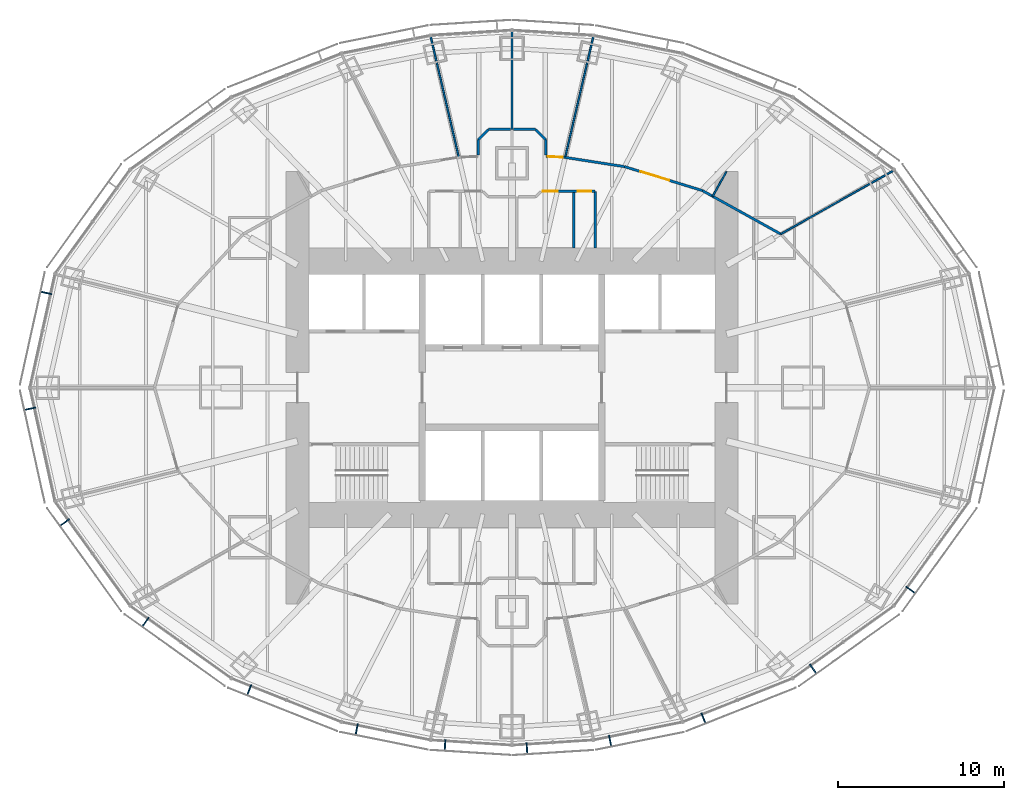
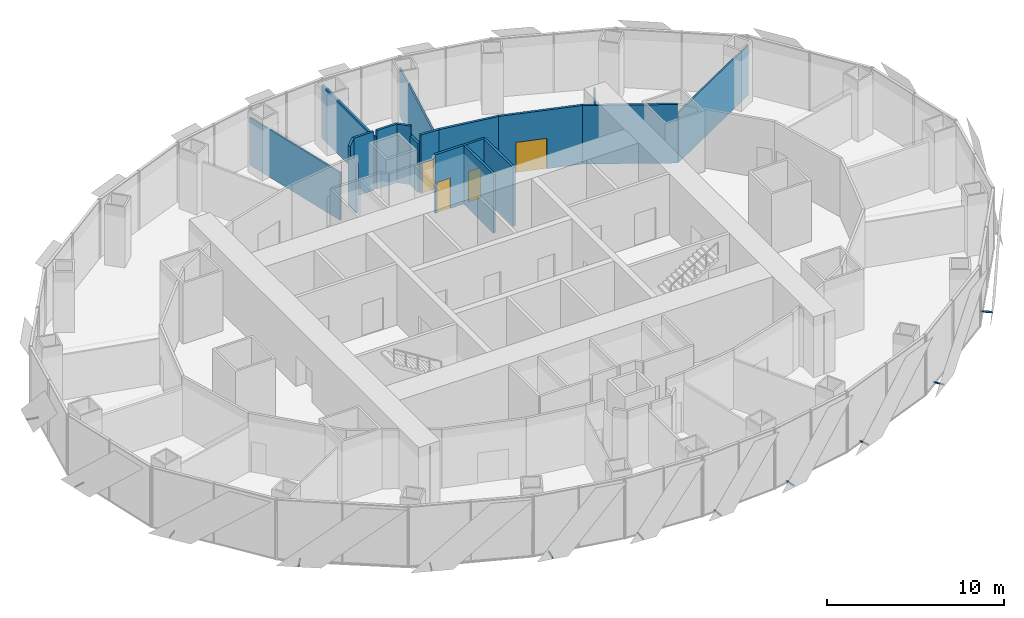
# One storey, part 13 of 17: 18 walls, 12 discrete accessories, 4 doors, 4 openings.
"""IFC4 building model written with IfcOpenShell, lengths in metres."""

from ifc_helpers import new_model, si_unit, direction, frame, frame_2d, origin, origin_2d, place, context, subcontext, project, spatial, rectangle, extrude, material, layer, layer_set, type_object, element, fill, save


model = new_model("IFC4")

# Units and contexts
model_context = context("Model", 3, precision=1e-05, world=origin(), true_north=direction((0.0, 1.0)))
body_context = subcontext(model_context, "Body", "Model", "MODEL_VIEW")
ifc_project = project(units=[si_unit("LENGTHUNIT", "METRE"), si_unit("AREAUNIT", "SQUARE_METRE"), si_unit("VOLUMEUNIT", "CUBIC_METRE"), si_unit("PLANEANGLEUNIT", "RADIAN"), si_unit("MASSUNIT", "GRAM", prefix="KILO")], contexts=[model_context])

# Site, building, storey
site_placement = place(None, origin())
site = spatial("IfcSite", under=ifc_project, at=site_placement, CompositionType="ELEMENT")
building_placement = place(site_placement, origin())
building = spatial("IfcBuilding", under=site, at=building_placement, Name="Lantaw Convention Tower", CompositionType="ELEMENT")
storey_placement = place(building_placement, frame((0.0, 0.0, 163.60009765625)))
storey = spatial("IfcBuildingStorey", under=building, at=storey_placement, Name="L38", CompositionType="ELEMENT", Elevation=163.60009765625)

# Wall
ifc_material_1 = material(Name="Gypsum board on steel studs, fire rated", Category="steel")
ifc_layer_1 = layer(ifc_material_1, 0.14990234375)
ifc_layer_set_1 = layer_set([ifc_layer_1], Name="Corridor wall 150 EI 60")
wall_type_1 = type_object("IfcWallType", Name="Corridor wall 150 EI 60", PredefinedType="PARTITIONING", material=ifc_layer_set_1)
wall_1_placement = place(storey_placement, frame((16.159912109375, 9.234375, 0.0), z_axis=(0.0, 0.0, 1.0), x_axis=(-0.87433873028, 0.485316169865, 0.0)))
element("IfcWall", 1, at=wall_1_placement, inside=storey, type_object=wall_type_1, Name="Corridor wall 150", PredefinedType="PARTITIONING", context=body_context, shape_type="SweptSolid", body=[
    extrude(rectangle(XDim=5.392822265625, YDim=0.14990234375, at=frame_2d((2.6962890625, 0.0))), origin(), (0.0, 0.0, 1.0), 4.0498046875),
])

# Wall, opening, door
wall_2_placement = place(storey_placement, frame((11.44482421875, 11.8515625, 0.0), z_axis=(0.0, 0.0, 1.0), x_axis=(-0.955892284323, 0.293717450573, 0.0)))
wall_2 = element("IfcWall", 2, at=wall_2_placement, inside=storey, type_object=wall_type_1, Name="Corridor wall 150", PredefinedType="PARTITIONING", context=body_context, shape_type="SweptSolid", body=[
    extrude(rectangle(XDim=4.889892578125, YDim=0.14990234375, at=frame_2d((2.44482421875, 0.0))), origin(), (0.0, 0.0, 1.0), 4.0498046875),
])
opening_1_placement = place(wall_2_placement, frame((2.08154296875, 0.0, 0.0)))
opening_1 = element("IfcOpeningElement", 3, at=opening_1_placement, cuts=wall_2, Name="Opening L38.24", PredefinedType="OPENING", context=body_context, shape_type="SweptSolid", body=[
    extrude(rectangle(XDim=1.800048828125, YDim=2.10009765625, at=frame_2d((0.89990234375, 1.050048828125))), frame((0.0, 0.0849609375, 0.0), z_axis=(0.0, -1.0, 0.0), x_axis=(1.0, 0.0, 0.0)), (0.0, 0.0, 1.0), 0.169921875),
])
ifc_material_2 = material(Name="Steel, fire rated", Category="steel")
door_type_1 = type_object("IfcDoorType", Name="Office double door 1800 FD30", OperationType="DOUBLE_DOOR_DOUBLE_SWING", PredefinedType="DOOR", material=ifc_material_2)
door_1_placement = place(opening_1_placement, origin())
door_1 = element("IfcDoor", 4, at=door_1_placement, inside=storey, type_object=door_type_1, Name="Tenant suite door", OperationType="DOUBLE_DOOR_DOUBLE_SWING", OverallHeight=2.10009765625, OverallWidth=1.800048828125, PredefinedType="DOOR", context=body_context, shape_type="SweptSolid", body=[
    extrude(rectangle(XDim=1.800048828125, YDim=2.10009765625, at=frame_2d((0.89990234375, 1.050048828125))), frame((0.0, 0.02490234375, 0.0), z_axis=(0.0, -1.0, 0.0), x_axis=(1.0, 0.0, 0.0)), (0.0, 0.0, 1.0), 0.050048828125),
])
fill(opening_1, door_1)

# Wall
wall_3_placement = place(storey_placement, frame((6.7705078125, 13.287841796875, 0.0), z_axis=(0.0, 0.0, 1.0), x_axis=(-0.98808911792, 0.153882731479, 0.0)))
element("IfcWall", 5, at=wall_3_placement, inside=storey, type_object=wall_type_1, Name="Corridor wall 150", PredefinedType="PARTITIONING", context=body_context, shape_type="SweptSolid", body=[
    extrude(rectangle(XDim=3.6171875, YDim=0.14990234375, at=frame_2d((1.80859375, 0.0))), origin(), (0.0, 0.0, 1.0), 4.0498046875),
])

# Wall, opening, door
wall_4_placement = place(storey_placement, frame((3.1962890625, 13.844482421875, 0.0), z_axis=(0.0, 0.0, 1.0), x_axis=(-0.998823043489, 0.048502863789, 0.0)))
wall_4 = element("IfcWall", 6, at=wall_4_placement, inside=storey, type_object=wall_type_1, Name="Corridor wall 150", PredefinedType="PARTITIONING", context=body_context, shape_type="SweptSolid", body=[
    extrude(rectangle(XDim=1.162841796875, YDim=0.14990234375, at=frame_2d((0.58154296875, 0.0))), origin(), (0.0, 0.0, 1.0), 4.0498046875),
])
opening_2_placement = place(wall_4_placement, frame((0.14990234375, 0.0, 0.0)))
opening_2 = element("IfcOpeningElement", 7, at=opening_2_placement, cuts=wall_4, Name="Opening L38.25", PredefinedType="OPENING", context=body_context, shape_type="SweptSolid", body=[
    extrude(rectangle(XDim=0.89990234375, YDim=2.10009765625, at=frame_2d((0.449951171875, 1.050048828125))), frame((0.0, 0.0849609375, 0.0), z_axis=(0.0, -1.0, 0.0), x_axis=(1.0, 0.0, 0.0)), (0.0, 0.0, 1.0), 0.169921875),
])
door_type_2 = type_object("IfcDoorType", Name="Office door 900 FD30", OperationType="SINGLE_SWING_LEFT", PredefinedType="DOOR", material=ifc_material_2)
door_2_placement = place(opening_2_placement, origin())
door_2 = element("IfcDoor", 8, at=door_2_placement, inside=storey, type_object=door_type_2, Name="Pantry door", OperationType="SINGLE_SWING_LEFT", OverallHeight=2.10009765625, OverallWidth=0.89990234375, PredefinedType="DOOR", context=body_context, shape_type="SweptSolid", body=[
    extrude(rectangle(XDim=0.89990234375, YDim=2.10009765625, at=frame_2d((0.449951171875, 1.050048828125))), frame((0.0, 0.02490234375, 0.0), z_axis=(0.0, -1.0, 0.0), x_axis=(1.0, 0.0, 0.0)), (0.0, 0.0, 1.0), 0.050048828125),
])
fill(opening_2, door_2)

# Walls
wall_5_placement = place(storey_placement, frame((0.103271484375, 15.52490234375, 0.0), z_axis=(0.0, 0.0, 1.0), x_axis=(1.0, 0.0, 0.0)))
element("IfcWall", 9, at=wall_5_placement, inside=storey, type_object=wall_type_1, Name="Corridor wall 150", PredefinedType="PARTITIONING", context=body_context, shape_type="SweptSolid", body=[
    extrude(rectangle(XDim=1.3212890625, YDim=0.14990234375, at=frame_2d((0.66064453125, 0.0))), origin(), (0.0, 0.0, 1.0), 4.0498046875),
])
wall_6_placement = place(storey_placement, frame((1.424560546875, 15.52490234375, 0.0), z_axis=(0.0, 0.0, 1.0), x_axis=(0.707106781187, -0.707106781187, 0.0)))
element("IfcWall", 10, at=wall_6_placement, inside=storey, type_object=wall_type_1, Name="Corridor wall 150", PredefinedType="PARTITIONING", context=body_context, shape_type="SweptSolid", body=[
    extrude(rectangle(XDim=0.84912109375, YDim=0.14990234375, at=frame_2d((0.424560546875, 0.0))), origin(), (0.0, 0.0, 1.0), 4.0498046875),
])
for number, where, z_axis, x_axis, name in (
    (11, (2.02490234375, 14.924560546875, 0.0), (0.0, 0.0, 1.0), (0.0, -1.0, 0.0), "Corridor wall 150"),
    (12, (-2.02490234375, 14.00244140625, 0.0), (0.0, 0.0, 1.0), (0.0, 1.0, 0.0), "Corridor wall 150"),
):
    element("IfcWall", number, at=place(storey_placement, frame(where, z_axis=z_axis, x_axis=x_axis)), inside=storey, type_object=wall_type_1, Name=name, PredefinedType="PARTITIONING", context=body_context, shape_type="SweptSolid", body=[
        extrude(rectangle(XDim=0.922119140625, YDim=0.14990234375, at=frame_2d((0.4609375, 0.0))), origin(), (0.0, 0.0, 1.0), 3.36669921875),
    ])
wall_7_placement = place(storey_placement, frame((-2.02490234375, 14.924560546875, 0.0), z_axis=(0.0, 0.0, 1.0), x_axis=(0.707106781187, 0.707106781187, 0.0)))
element("IfcWall", 13, at=wall_7_placement, inside=storey, type_object=wall_type_1, Name="Corridor wall 150", PredefinedType="PARTITIONING", context=body_context, shape_type="SweptSolid", body=[
    extrude(rectangle(XDim=0.84912109375, YDim=0.14990234375, at=frame_2d((0.424560546875, 0.0))), origin(), (0.0, 0.0, 1.0), 4.0498046875),
])
wall_8_placement = place(storey_placement, frame((-1.424560546875, 15.52490234375, 0.0), z_axis=(0.0, 0.0, 1.0), x_axis=(1.0, 0.0, 0.0)))
element("IfcWall", 14, at=wall_8_placement, inside=storey, type_object=wall_type_1, Name="Corridor wall 150", PredefinedType="PARTITIONING", context=body_context, shape_type="SweptSolid", body=[
    extrude(rectangle(XDim=1.3212890625, YDim=0.14990234375, at=frame_2d((0.66064453125, 0.0))), origin(), (0.0, 0.0, 1.0), 4.0498046875),
])
ifc_material_3 = material(Name="Gypsum board on steel studs, acoustic", Category="steel")
ifc_layer_2 = layer(ifc_material_3, 0.10009765625)
ifc_layer_set_2 = layer_set([ifc_layer_2], Name="Office partition 100")
wall_type_2 = type_object("IfcWallType", Name="Office partition 100", PredefinedType="PARTITIONING", material=ifc_layer_set_2)
wall_9_placement = place(storey_placement, frame((22.94921875, 13.058837890625, 0.0), z_axis=(0.0, 0.0, 1.0), x_axis=(-0.871274989434, -0.490795163777, 0.0)))
element("IfcWall", 15, at=wall_9_placement, inside=storey, type_object=wall_type_2, Name="Office partition 100", PredefinedType="PARTITIONING", context=body_context, shape_type="SweptSolid", body=[
    extrude(rectangle(XDim=7.79248046875, YDim=0.10009765625, at=frame_2d((3.896240234375, 0.0))), origin(), (0.0, 0.0, 1.0), 3.450439453125),
])
for number, where, z_axis, x_axis, name in (
    (16, (4.89697265625, 21.134765625, 0.0), (0.0, 0.0, 1.0), (-0.227181159974, -0.973852514785, 0.0), "Office partition 100"),
    (17, (-4.89697265625, 21.134765625, 0.0), (0.0, 0.0, 1.0), (0.227181159974, -0.973852514785, 0.0), "Office partition 100"),
):
    element("IfcWall", number, at=place(storey_placement, frame(where, z_axis=z_axis, x_axis=x_axis)), inside=storey, type_object=wall_type_2, Name=name, PredefinedType="PARTITIONING", context=body_context, shape_type="SweptSolid", body=[
        extrude(rectangle(XDim=7.486083984375, YDim=0.10009765625, at=frame_2d((3.7431640625, 0.0))), origin(), (0.0, 0.0, 1.0), 3.29296875),
    ])
wall_10_placement = place(storey_placement, frame((12.89990234375, 13.0, 0.0), z_axis=(0.0, 0.0, 1.0), x_axis=(-0.485339901234, -0.87432555737, 0.0)))
element("IfcWall", 18, at=wall_10_placement, inside=storey, type_object=wall_type_2, Name="Office partition 100", PredefinedType="PARTITIONING", context=body_context, shape_type="SweptSolid", body=[
    extrude(rectangle(XDim=1.710205078125, YDim=0.10009765625, at=frame_2d((0.85498046875, 0.0))), origin(), (0.0, 0.0, 1.0), 4.0498046875),
])
ifc_layer_3 = layer(ifc_material_1, 0.14990234375)
ifc_layer_set_3 = layer_set([ifc_layer_3], Name="Tenant separation wall 150 EI 60")
wall_type_3 = type_object("IfcWallType", Name="Tenant separation wall 150 EI 60", PredefinedType="PARTITIONING", material=ifc_layer_set_3)
wall_11_placement = place(storey_placement, frame((0.0, 21.44482421875, 0.0), z_axis=(0.0, 0.0, 1.0), x_axis=(0.0, -1.0, 0.0)))
element("IfcWall", 19, at=wall_11_placement, inside=storey, type_object=wall_type_3, Name="Tenant separation wall 150", PredefinedType="PARTITIONING", context=body_context, shape_type="SweptSolid", body=[
    extrude(rectangle(XDim=5.909912109375, YDim=0.14990234375, at=frame_2d((2.955078125, 0.0))), origin(), (0.0, 0.0, 1.0), 3.64599609375),
])
ifc_material_4 = material(Name="Concrete blockwork", Category="masonry")
ifc_layer_4 = layer(ifc_material_4, 0.14990234375)
ifc_layer_set_4 = layer_set([ifc_layer_4], Name="WC wall 150")
wall_type_4 = type_object("IfcWallType", Name="WC wall 150", PredefinedType="SOLIDWALL", material=ifc_layer_set_4)
for number, where, z_axis, x_axis, name in (
    (20, (5.0, 8.39990234375, 0.0), (0.0, 0.0, 1.0), (0.0, 1.0, 0.0), "WC wall 150"),
    (21, (3.699951171875, 8.39990234375, 0.0), (0.0, 0.0, 1.0), (0.0, 1.0, 0.0), "WC wall 150"),
):
    element("IfcWall", number, at=place(storey_placement, frame(where, z_axis=z_axis, x_axis=x_axis)), inside=storey, type_object=wall_type_4, Name=name, PredefinedType="SOLIDWALL", context=body_context, shape_type="SweptSolid", body=[
        extrude(rectangle(XDim=3.400146484375, YDim=0.14990234375, at=frame_2d((1.7001953125, 0.0))), origin(), (0.0, 0.0, 1.0), 4.0498046875),
    ])

# Wall, openings, doors
wall_12_placement = place(storey_placement, frame((1.763671875, 11.800048828125, 0.0), z_axis=(0.0, 0.0, 1.0), x_axis=(1.0, 0.0, 0.0)))
wall_12 = element("IfcWall", 22, at=wall_12_placement, inside=storey, type_object=wall_type_4, Name="WC wall 150", PredefinedType="SOLIDWALL", context=body_context, shape_type="SweptSolid", body=[
    extrude(rectangle(XDim=3.236328125, YDim=0.14990234375, at=frame_2d((1.6181640625, 0.0))), origin(), (0.0, 0.0, 1.0), 4.0498046875),
])
opening_3_placement = place(wall_12_placement, frame((0.10009765625, 0.0, 0.0)))
opening_3 = element("IfcOpeningElement", 23, at=opening_3_placement, cuts=wall_12, Name="Opening L38.16", PredefinedType="OPENING", context=body_context, shape_type="SweptSolid", body=[
    extrude(rectangle(XDim=0.89990234375, YDim=2.10009765625, at=frame_2d((0.449951171875, 1.050048828125))), frame((0.0, 0.0849609375, 0.0), z_axis=(0.0, -1.0, 0.0), x_axis=(1.0, 0.0, 0.0)), (0.0, 0.0, 1.0), 0.169921875),
])
opening_4_placement = place(wall_12_placement, frame((2.199951171875, 0.0, 0.0)))
opening_4 = element("IfcOpeningElement", 24, at=opening_4_placement, cuts=wall_12, Name="Opening L38.17", PredefinedType="OPENING", context=body_context, shape_type="SweptSolid", body=[
    extrude(rectangle(XDim=0.800048828125, YDim=2.10009765625, at=frame_2d((0.39990234375, 1.050048828125))), frame((0.0, 0.0849609375, 0.0), z_axis=(0.0, -1.0, 0.0), x_axis=(1.0, 0.0, 0.0)), (0.0, 0.0, 1.0), 0.169921875),
])
ifc_material_5 = material(Name="Timber", Category="wood")
door_type_3 = type_object("IfcDoorType", Name="WC door 800", OperationType="SINGLE_SWING_LEFT", PredefinedType="DOOR", material=ifc_material_5)
door_3_placement = place(opening_4_placement, origin())
door_3 = element("IfcDoor", 25, at=door_3_placement, inside=storey, type_object=door_type_3, Name="Cleaner's store door", OperationType="SINGLE_SWING_LEFT", OverallHeight=2.10009765625, OverallWidth=0.800048828125, PredefinedType="DOOR", context=body_context, shape_type="SweptSolid", body=[
    extrude(rectangle(XDim=0.800048828125, YDim=2.10009765625, at=frame_2d((0.39990234375, 1.050048828125))), frame((0.0, 0.02490234375, 0.0), z_axis=(0.0, -1.0, 0.0), x_axis=(1.0, 0.0, 0.0)), (0.0, 0.0, 1.0), 0.050048828125),
])
fill(opening_4, door_3)
door_type_4 = type_object("IfcDoorType", Name="WC door 900", OperationType="SINGLE_SWING_LEFT", PredefinedType="DOOR", material=ifc_material_5)
door_4_placement = place(opening_3_placement, origin())
door_4 = element("IfcDoor", 26, at=door_4_placement, inside=storey, type_object=door_type_4, Name="Female WC door", OperationType="SINGLE_SWING_LEFT", OverallHeight=2.10009765625, OverallWidth=0.89990234375, PredefinedType="DOOR", context=body_context, shape_type="SweptSolid", body=[
    extrude(rectangle(XDim=0.89990234375, YDim=2.10009765625, at=frame_2d((0.449951171875, 1.050048828125))), frame((0.0, 0.02490234375, 0.0), z_axis=(0.0, -1.0, 0.0), x_axis=(1.0, 0.0, 0.0)), (0.0, 0.0, 1.0), 0.050048828125),
])
fill(opening_3, door_4)

# Discrete accessories
for number, where, z_axis, x_axis, name in (
    (27, (-28.008056640625, 5.6953125, -0.115234375), (0.0, 0.0, 1.0), (-0.215546166174, -0.9764936509, 0.0), "Screen bracket"),
    (28, (-28.98486328125, -1.269775390625, -0.115234375), (0.0, 0.0, 1.0), (0.215546166174, -0.9764936509, 0.0), "Screen bracket"),
    (29, (-26.900146484375, -8.111572265625, -0.115234375), (0.0, 0.0, 1.0), (0.584512597221, -0.811384633629, 0.0), "Screen bracket"),
    (30, (-22.044189453125, -14.10546875, -0.115234375), (0.0, 0.0, 1.0), (0.813208325995, -0.581972695693, 0.0), "Screen bracket"),
    (31, (-15.802978515625, -18.18798828125, -0.115234375), (0.0, 0.0, 1.0), (0.929547687544, -0.368701907483, 0.0), "Screen bracket"),
    (32, (-9.339599609375, -20.56005859375, -0.115234375), (0.0, 0.0, 1.0), (0.980301514912, -0.197506809659, 0.0), "Screen bracket"),
    (33, (-4.027099609375, -21.505859375, -0.115234375), (0.0, 0.0, 1.0), (0.998022035978, -0.062865059466, 0.0), "Screen bracket"),
    (34, (0.89794921875, -21.702880859375, -0.115234375), (0.0, 0.0, 1.0), (0.998022035978, 0.062865059466, 0.0), "Screen bracket"),
    (35, (5.903076171875, -21.25244140625, -0.115234375), (0.0, 0.0, 1.0), (0.980301514912, 0.197506809659, 0.0), "Screen bracket"),
    (36, (11.517822265625, -19.887939453125, -0.115234375), (0.0, 0.0, 1.0), (0.929547687544, 0.368701907483, 0.0), "Screen bracket"),
    (37, (18.10791015625, -16.922607421875, -0.115234375), (0.0, 0.0, 1.0), (0.813208325995, 0.581972695693, 0.0), "Screen bracket"),
    (38, (23.9765625, -12.169677734375, -0.115234375), (0.0, 0.0, 1.0), (0.584512597221, 0.811384633629, 0.0), "Screen bracket"),
):
    element("IfcDiscreteAccessory", number, at=place(storey_placement, frame(where, z_axis=z_axis, x_axis=x_axis)), inside=storey, Name=name, PredefinedType="BRACKET", context=body_context, shape_type="SweptSolid", body=[
        extrude(rectangle(XDim=0.080078125, YDim=0.68798828125, at=origin_2d()), origin(), (0.0, 0.0, 1.0), 0.080078125),
    ])

save(model, "model.ifc")
